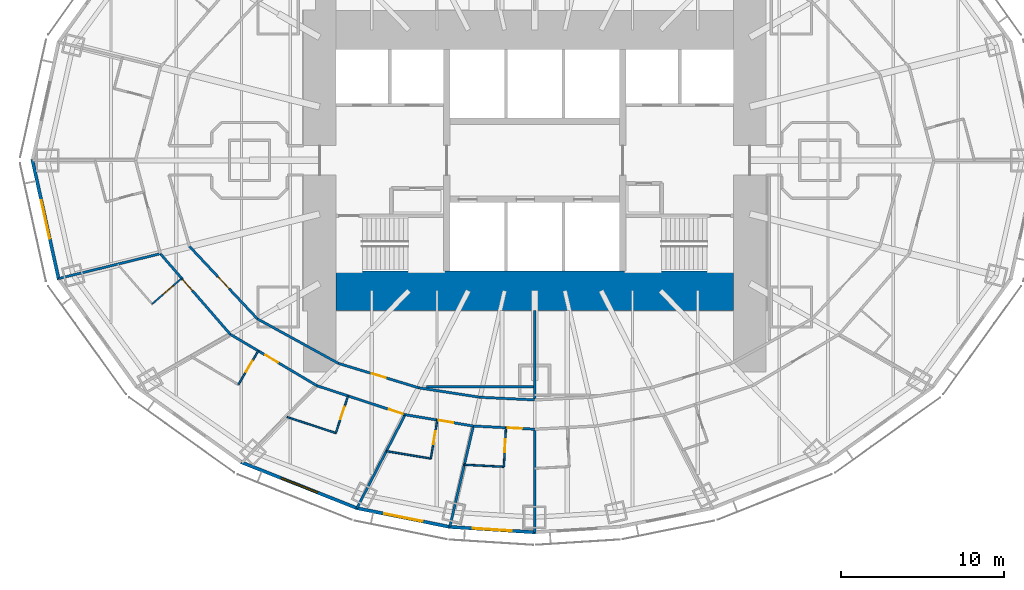
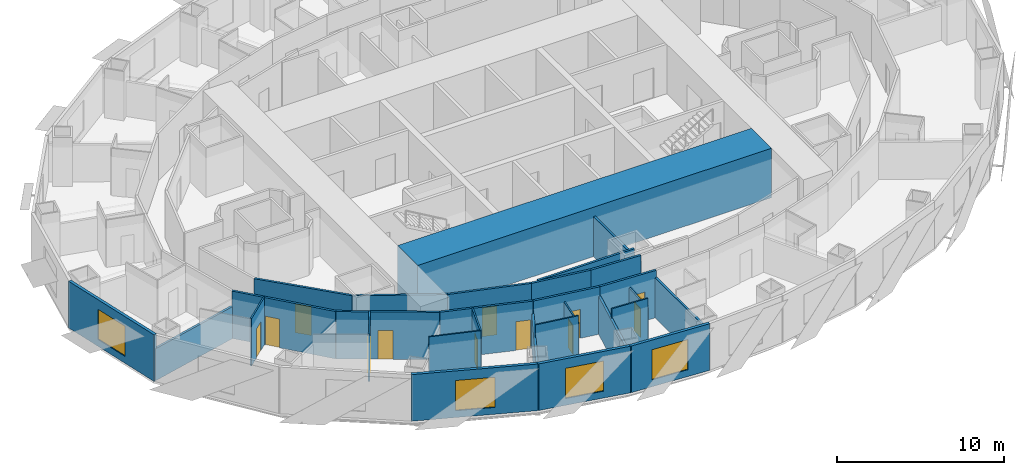
# One storey, part 5 of 15: 29 walls, 12 doors, 4 windows, 16 openings.
"""IFC4 building model written with IfcOpenShell, lengths in metres."""

from ifc_helpers import new_model, si_unit, direction, frame, frame_2d, origin, place, context, subcontext, project, spatial, rectangle, extrude, material, layer, layer_set, type_object, element, fill, save


model = new_model("IFC4")

# Units and contexts
model_context = context("Model", 3, precision=1e-05, world=origin(), true_north=direction((0.0, 1.0)))
body_context = subcontext(model_context, "Body", "Model", "MODEL_VIEW")
ifc_project = project(units=[si_unit("LENGTHUNIT", "METRE"), si_unit("AREAUNIT", "SQUARE_METRE"), si_unit("VOLUMEUNIT", "CUBIC_METRE"), si_unit("PLANEANGLEUNIT", "RADIAN"), si_unit("MASSUNIT", "GRAM", prefix="KILO")], contexts=[model_context])

# Site, building, storey
site_placement = place(None, origin())
site = spatial("IfcSite", under=ifc_project, at=site_placement, CompositionType="ELEMENT")
building_placement = place(site_placement, origin())
building = spatial("IfcBuilding", under=site, at=building_placement, Name="Lantaw Convention Tower", CompositionType="ELEMENT")
storey_placement = place(building_placement, frame((0.0, 0.0, 65.800048828125)))
storey = spatial("IfcBuildingStorey", under=building, at=storey_placement, Name="L14", CompositionType="ELEMENT", Elevation=65.800048828125)

# Walls
ifc_material_1 = material(Name="Gypsum board on steel studs", Category="steel")
ifc_layer_1 = layer(ifc_material_1, 0.14990234375)
ifc_layer_set_1 = layer_set([ifc_layer_1], Name="Back of house wall 150")
wall_type_1 = type_object("IfcWallType", Name="Back of house wall 150", PredefinedType="PARTITIONING", material=ifc_layer_set_1)
wall_1_placement = place(storey_placement, frame((0.0, -9.199951171875, 0.0), z_axis=(0.0, 0.0, 1.0), x_axis=(0.0, -1.0, 0.0)))
element("IfcWall", 1, at=wall_1_placement, inside=storey, type_object=wall_type_1, Name="Back of house wall 150", PredefinedType="PARTITIONING", context=body_context, shape_type="SweptSolid", body=[
    extrude(rectangle(XDim=5.5, YDim=0.14990234375, at=frame_2d((2.75, 0.0))), origin(), (0.0, 0.0, 1.0), 2.924072265625),
])
wall_2_placement = place(storey_placement, frame((-6.646728515625, -13.89990234375, 0.0), z_axis=(0.0, 0.0, 1.0), x_axis=(1.0, 0.0, 0.0)))
element("IfcWall", 2, at=wall_2_placement, inside=storey, type_object=wall_type_1, Name="Back of house wall 150", PredefinedType="PARTITIONING", context=body_context, shape_type="SweptSolid", body=[
    extrude(rectangle(XDim=6.646728515625, YDim=0.14990234375, at=frame_2d((3.3232421875, 0.0))), origin(), (0.0, 0.0, 1.0), 3.449951171875),
])

# Wall, opening, door
ifc_material_2 = material(Name="Moisture resistant gypsum board on steel studs", Category="steel")
ifc_layer_2 = layer(ifc_material_2, 0.10009765625)
ifc_layer_set_2 = layer_set([ifc_layer_2], Name="Bathroom wall 100")
wall_type_2 = type_object("IfcWallType", Name="Bathroom wall 100", PredefinedType="PARTITIONING", material=ifc_layer_set_2)
wall_3_placement = place(storey_placement, frame((-21.664794921875, -7.23876953125, 0.0), z_axis=(0.0, 0.0, 1.0), x_axis=(-0.755098052661, -0.655611875172, 0.0)))
wall_3 = element("IfcWall", 3, at=wall_3_placement, inside=storey, type_object=wall_type_2, Name="Bathroom wall 100", PredefinedType="PARTITIONING", context=body_context, shape_type="SweptSolid", body=[
    extrude(rectangle(XDim=2.400146484375, YDim=0.10009765625, at=frame_2d((1.2001953125, 0.0))), origin(), (0.0, 0.0, 1.0), 3.449951171875),
])
opening_1_placement = place(wall_3_placement, frame((0.699951171875, 0.0, 0.0)))
opening_1 = element("IfcOpeningElement", 4, at=opening_1_placement, cuts=wall_3, Name="Opening L14.46", PredefinedType="OPENING", context=body_context, shape_type="SweptSolid", body=[
    extrude(rectangle(XDim=0.800048828125, YDim=2.10009765625, at=frame_2d((0.39990234375, 1.050048828125))), frame((0.0, 0.06005859375, 0.0), z_axis=(0.0, -1.0, 0.0), x_axis=(1.0, 0.0, 0.0)), (0.0, 0.0, 1.0), 0.1201171875),
])
ifc_material_3 = material(Name="Timber", Category="wood")
door_type_1 = type_object("IfcDoorType", Name="Bathroom door 800", OperationType="SINGLE_SWING_LEFT", PredefinedType="DOOR", material=ifc_material_3)
door_1_placement = place(opening_1_placement, origin())
door_1 = element("IfcDoor", 5, at=door_1_placement, inside=storey, type_object=door_type_1, Name="Bathroom door", OperationType="SINGLE_SWING_LEFT", OverallHeight=2.10009765625, OverallWidth=0.800048828125, PredefinedType="DOOR", context=body_context, shape_type="SweptSolid", body=[
    extrude(rectangle(XDim=0.800048828125, YDim=2.10009765625, at=frame_2d((0.39990234375, 1.050048828125))), frame((0.0, 0.02490234375, 0.0), z_axis=(0.0, -1.0, 0.0), x_axis=(1.0, 0.0, 0.0)), (0.0, 0.0, 1.0), 0.050048828125),
])
fill(opening_1, door_1)

wall_4_placement = place(storey_placement, frame((-16.961181640625, -11.6953125, 0.0), z_axis=(0.0, 0.0, 1.0), x_axis=(-0.510075642074, -0.860129548012, 0.0)))
wall_4 = element("IfcWall", 6, at=wall_4_placement, inside=storey, type_object=wall_type_2, Name="Bathroom wall 100", PredefinedType="PARTITIONING", context=body_context, shape_type="SweptSolid", body=[
    extrude(rectangle(XDim=2.39990234375, YDim=0.10009765625, at=frame_2d((1.199951171875, 0.0))), origin(), (0.0, 0.0, 1.0), 3.449951171875),
])
opening_2_placement = place(wall_4_placement, frame((0.699951171875, 0.0, 0.0)))
opening_2 = element("IfcOpeningElement", 7, at=opening_2_placement, cuts=wall_4, Name="Opening L14.48", PredefinedType="OPENING", context=body_context, shape_type="SweptSolid", body=[
    extrude(rectangle(XDim=0.800048828125, YDim=2.10009765625, at=frame_2d((0.39990234375, 1.050048828125))), frame((0.0, 0.06005859375, 0.0), z_axis=(0.0, -1.0, 0.0), x_axis=(1.0, 0.0, 0.0)), (0.0, 0.0, 1.0), 0.1201171875),
])
door_2_placement = place(opening_2_placement, origin())
door_2 = element("IfcDoor", 8, at=door_2_placement, inside=storey, type_object=door_type_1, Name="Bathroom door", OperationType="SINGLE_SWING_LEFT", OverallHeight=2.10009765625, OverallWidth=0.800048828125, PredefinedType="DOOR", context=body_context, shape_type="SweptSolid", body=[
    extrude(rectangle(XDim=0.800048828125, YDim=2.10009765625, at=frame_2d((0.39990234375, 1.050048828125))), frame((0.0, 0.02490234375, 0.0), z_axis=(0.0, -1.0, 0.0), x_axis=(1.0, 0.0, 0.0)), (0.0, 0.0, 1.0), 0.050048828125),
])
fill(opening_2, door_2)

wall_5_placement = place(storey_placement, frame((-11.457275390625, -14.455810546875, 0.0), z_axis=(0.0, 0.0, 1.0), x_axis=(-0.311890952591, -0.950117905153, 0.0)))
wall_5 = element("IfcWall", 9, at=wall_5_placement, inside=storey, type_object=wall_type_2, Name="Bathroom wall 100", PredefinedType="PARTITIONING", context=body_context, shape_type="SweptSolid", body=[
    extrude(rectangle(XDim=2.39990234375, YDim=0.10009765625, at=frame_2d((1.199951171875, 0.0))), origin(), (0.0, 0.0, 1.0), 3.449951171875),
])
opening_3_placement = place(wall_5_placement, frame((0.699951171875, 0.0, 0.0)))
opening_3 = element("IfcOpeningElement", 10, at=opening_3_placement, cuts=wall_5, Name="Opening L14.50", PredefinedType="OPENING", context=body_context, shape_type="SweptSolid", body=[
    extrude(rectangle(XDim=0.800048828125, YDim=2.10009765625, at=frame_2d((0.39990234375, 1.050048828125))), frame((0.0, 0.06005859375, 0.0), z_axis=(0.0, -1.0, 0.0), x_axis=(1.0, 0.0, 0.0)), (0.0, 0.0, 1.0), 0.1201171875),
])
door_3_placement = place(opening_3_placement, origin())
door_3 = element("IfcDoor", 11, at=door_3_placement, inside=storey, type_object=door_type_1, Name="Bathroom door", OperationType="SINGLE_SWING_LEFT", OverallHeight=2.10009765625, OverallWidth=0.800048828125, PredefinedType="DOOR", context=body_context, shape_type="SweptSolid", body=[
    extrude(rectangle(XDim=0.800048828125, YDim=2.10009765625, at=frame_2d((0.39990234375, 1.050048828125))), frame((0.0, 0.02490234375, 0.0), z_axis=(0.0, -1.0, 0.0), x_axis=(1.0, 0.0, 0.0)), (0.0, 0.0, 1.0), 0.050048828125),
])
fill(opening_3, door_3)

# Wall
wall_6_placement = place(storey_placement, frame((-12.205810546875, -16.736083984375, 0.0), z_axis=(0.0, 0.0, 1.0), x_axis=(-0.950109912386, 0.311915300018, 0.0)))
element("IfcWall", 12, at=wall_6_placement, inside=storey, type_object=wall_type_2, Name="Bathroom wall 100", PredefinedType="PARTITIONING", context=body_context, shape_type="SweptSolid", body=[
    extrude(rectangle(XDim=3.161376953125, YDim=0.10009765625, at=frame_2d((1.58056640625, 0.0))), origin(), (0.0, 0.0, 1.0), 3.449951171875),
])

# Wall, opening, door
wall_7_placement = place(storey_placement, frame((-5.979248046875, -15.935302734375, 0.0), z_axis=(0.0, 0.0, 1.0), x_axis=(-0.164283516215, -0.986413162067, 0.0)))
wall_7 = element("IfcWall", 13, at=wall_7_placement, inside=storey, type_object=wall_type_2, Name="Bathroom wall 100", PredefinedType="PARTITIONING", context=body_context, shape_type="SweptSolid", body=[
    extrude(rectangle(XDim=2.400146484375, YDim=0.10009765625, at=frame_2d((1.2001953125, 0.0))), origin(), (0.0, 0.0, 1.0), 2.9140625),
])
opening_4_placement = place(wall_7_placement, frame((0.699951171875, 0.0, 0.0)))
opening_4 = element("IfcOpeningElement", 14, at=opening_4_placement, cuts=wall_7, Name="Opening L14.52", PredefinedType="OPENING", context=body_context, shape_type="SweptSolid", body=[
    extrude(rectangle(XDim=0.800048828125, YDim=2.10009765625, at=frame_2d((0.39990234375, 1.050048828125))), frame((0.0, 0.06005859375, 0.0), z_axis=(0.0, -1.0, 0.0), x_axis=(1.0, 0.0, 0.0)), (0.0, 0.0, 1.0), 0.1201171875),
])
door_4_placement = place(opening_4_placement, origin())
door_4 = element("IfcDoor", 15, at=door_4_placement, inside=storey, type_object=door_type_1, Name="Bathroom door", OperationType="SINGLE_SWING_LEFT", OverallHeight=2.10009765625, OverallWidth=0.800048828125, PredefinedType="DOOR", context=body_context, shape_type="SweptSolid", body=[
    extrude(rectangle(XDim=0.800048828125, YDim=2.10009765625, at=frame_2d((0.39990234375, 1.050048828125))), frame((0.0, 0.02490234375, 0.0), z_axis=(0.0, -1.0, 0.0), x_axis=(1.0, 0.0, 0.0)), (0.0, 0.0, 1.0), 0.050048828125),
])
fill(opening_4, door_4)

# Wall
wall_8_placement = place(storey_placement, frame((-6.37353515625, -18.302734375, 0.0), z_axis=(0.0, 0.0, 1.0), x_axis=(-0.98640348956, 0.164341582641, 0.0)))
element("IfcWall", 16, at=wall_8_placement, inside=storey, type_object=wall_type_2, Name="Bathroom wall 100", PredefinedType="PARTITIONING", context=body_context, shape_type="SweptSolid", body=[
    extrude(rectangle(XDim=2.7587890625, YDim=0.10009765625, at=frame_2d((1.37939453125, 0.0))), origin(), (0.0, 0.0, 1.0), 3.449951171875),
])

# Wall, opening, door
wall_9_placement = place(storey_placement, frame((-1.766845703125, -16.407958984375, 0.0), z_axis=(0.0, 0.0, 1.0), x_axis=(-0.051982187452, -0.998648012158, 0.0)))
wall_9 = element("IfcWall", 17, at=wall_9_placement, inside=storey, type_object=wall_type_2, Name="Bathroom wall 100", PredefinedType="PARTITIONING", context=body_context, shape_type="SweptSolid", body=[
    extrude(rectangle(XDim=2.39990234375, YDim=0.10009765625, at=frame_2d((1.199951171875, 0.0))), origin(), (0.0, 0.0, 1.0), 2.7490234375),
])
opening_5_placement = place(wall_9_placement, frame((0.699951171875, 0.0, 0.0)))
opening_5 = element("IfcOpeningElement", 18, at=opening_5_placement, cuts=wall_9, Name="Opening L14.54", PredefinedType="OPENING", context=body_context, shape_type="SweptSolid", body=[
    extrude(rectangle(XDim=0.800048828125, YDim=2.10009765625, at=frame_2d((0.39990234375, 1.050048828125))), frame((0.0, 0.06005859375, 0.0), z_axis=(0.0, -1.0, 0.0), x_axis=(1.0, 0.0, 0.0)), (0.0, 0.0, 1.0), 0.1201171875),
])
door_5_placement = place(opening_5_placement, origin())
door_5 = element("IfcDoor", 19, at=door_5_placement, inside=storey, type_object=door_type_1, Name="Bathroom door", OperationType="SINGLE_SWING_LEFT", OverallHeight=2.10009765625, OverallWidth=0.800048828125, PredefinedType="DOOR", context=body_context, shape_type="SweptSolid", body=[
    extrude(rectangle(XDim=0.800048828125, YDim=2.10009765625, at=frame_2d((0.39990234375, 1.050048828125))), frame((0.0, 0.02490234375, 0.0), z_axis=(0.0, -1.0, 0.0), x_axis=(1.0, 0.0, 0.0)), (0.0, 0.0, 1.0), 0.050048828125),
])
fill(opening_5, door_5)

# Walls
wall_10_placement = place(storey_placement, frame((-1.8916015625, -18.8046875, 0.0), z_axis=(0.0, 0.0, 1.0), x_axis=(-0.998648540987, 0.051972026944, 0.0)))
element("IfcWall", 20, at=wall_10_placement, inside=storey, type_object=wall_type_2, Name="Bathroom wall 100", PredefinedType="PARTITIONING", context=body_context, shape_type="SweptSolid", body=[
    extrude(rectangle(XDim=2.423828125, YDim=0.10009765625, at=frame_2d((1.2119140625, 0.0))), origin(), (0.0, 0.0, 1.0), 3.449951171875),
])
ifc_material_4 = material(Name="Concrete C60/75", Category="concrete")
ifc_layer_3 = layer(ifc_material_4, 2.39990234375)
ifc_layer_set_3 = layer_set([ifc_layer_3], Name="Core wall 2400")
wall_type_3 = type_object("IfcWallType", Name="Core wall 2400", PredefinedType="SHEAR", material=ifc_layer_set_3)
wall_11_placement = place(storey_placement, frame((-12.199951171875, -8.0, 0.0), z_axis=(0.0, 0.0, 1.0), x_axis=(1.0, 0.0, 0.0)))
element("IfcWall", 21, at=wall_11_placement, inside=storey, type_object=wall_type_3, Name="Core wall S", PredefinedType="SHEAR", context=body_context, shape_type="SweptSolid", body=[
    extrude(rectangle(XDim=24.39990234375, YDim=2.39990234375, at=frame_2d((12.199951171875, 0.0))), origin(), (0.0, 0.0, 1.0), 3.599853515625),
])

# Wall, opening, door
ifc_material_5 = material(Name="Gypsum board on steel studs, fire rated", Category="steel")
ifc_layer_4 = layer(ifc_material_5, 0.14990234375)
ifc_layer_set_4 = layer_set([ifc_layer_4], Name="Corridor wall 150 EI 60")
wall_type_4 = type_object("IfcWallType", Name="Corridor wall 150 EI 60", PredefinedType="PARTITIONING", material=ifc_layer_set_4)
wall_12_placement = place(storey_placement, frame((-22.97607421875, -5.728515625, 0.0), z_axis=(0.0, 0.0, 1.0), x_axis=(0.655599989166, -0.755108372491, 0.0)))
wall_12 = element("IfcWall", 22, at=wall_12_placement, inside=storey, type_object=wall_type_4, Name="Corridor wall 150", PredefinedType="PARTITIONING", context=body_context, shape_type="SweptSolid", body=[
    extrude(rectangle(XDim=6.55078125, YDim=0.14990234375, at=frame_2d((3.275390625, 0.0))), origin(), (0.0, 0.0, 1.0), 3.449951171875),
])
opening_6_placement = place(wall_12_placement, frame((2.10009765625, 0.0, 0.0)))
opening_6 = element("IfcOpeningElement", 23, at=opening_6_placement, cuts=wall_12, Name="Opening L14.47", PredefinedType="OPENING", context=body_context, shape_type="SweptSolid", body=[
    extrude(rectangle(XDim=0.89990234375, YDim=2.10009765625, at=frame_2d((0.449951171875, 1.050048828125))), frame((0.0, 0.0849609375, 0.0), z_axis=(0.0, -1.0, 0.0), x_axis=(1.0, 0.0, 0.0)), (0.0, 0.0, 1.0), 0.169921875),
])
ifc_material_6 = material(Name="Steel, fire rated", Category="steel")
door_type_2 = type_object("IfcDoorType", Name="Guest room entrance door FD30S", OperationType="SINGLE_SWING_LEFT", PredefinedType="DOOR", material=ifc_material_6)
door_6_placement = place(opening_6_placement, origin())
door_6 = element("IfcDoor", 24, at=door_6_placement, inside=storey, type_object=door_type_2, Name="Guest room entrance door", OperationType="SINGLE_SWING_LEFT", OverallHeight=2.10009765625, OverallWidth=0.89990234375, PredefinedType="DOOR", context=body_context, shape_type="SweptSolid", body=[
    extrude(rectangle(XDim=0.89990234375, YDim=2.10009765625, at=frame_2d((0.449951171875, 1.050048828125))), frame((0.0, 0.02490234375, 0.0), z_axis=(0.0, -1.0, 0.0), x_axis=(1.0, 0.0, 0.0)), (0.0, 0.0, 1.0), 0.050048828125),
])
fill(opening_6, door_6)

wall_13_placement = place(storey_placement, frame((-18.681396484375, -10.675048828125, 0.0), z_axis=(0.0, 0.0, 1.0), x_axis=(0.860147339762, -0.510045639036, 0.0)))
wall_13 = element("IfcWall", 25, at=wall_13_placement, inside=storey, type_object=wall_type_4, Name="Corridor wall 150", PredefinedType="PARTITIONING", context=body_context, shape_type="SweptSolid", body=[
    extrude(rectangle(XDim=6.189697265625, YDim=0.14990234375, at=frame_2d((3.0947265625, 0.0))), origin(), (0.0, 0.0, 1.0), 3.449951171875),
])
opening_7_placement = place(wall_13_placement, frame((2.50537109375, 0.0, 0.0)))
opening_7 = element("IfcOpeningElement", 26, at=opening_7_placement, cuts=wall_13, Name="Opening L14.49", PredefinedType="OPENING", context=body_context, shape_type="SweptSolid", body=[
    extrude(rectangle(XDim=0.89990234375, YDim=2.10009765625, at=frame_2d((0.449951171875, 1.050048828125))), frame((0.0, 0.0849609375, 0.0), z_axis=(0.0, -1.0, 0.0), x_axis=(1.0, 0.0, 0.0)), (0.0, 0.0, 1.0), 0.169921875),
])
door_7_placement = place(opening_7_placement, origin())
door_7 = element("IfcDoor", 27, at=door_7_placement, inside=storey, type_object=door_type_2, Name="Guest room entrance door", OperationType="SINGLE_SWING_LEFT", OverallHeight=2.10009765625, OverallWidth=0.89990234375, PredefinedType="DOOR", context=body_context, shape_type="SweptSolid", body=[
    extrude(rectangle(XDim=0.89990234375, YDim=2.10009765625, at=frame_2d((0.449951171875, 1.050048828125))), frame((0.0, 0.02490234375, 0.0), z_axis=(0.0, -1.0, 0.0), x_axis=(1.0, 0.0, 0.0)), (0.0, 0.0, 1.0), 0.050048828125),
])
fill(opening_7, door_7)

wall_14_placement = place(storey_placement, frame((-13.357421875, -13.83203125, 0.0), z_axis=(0.0, 0.0, 1.0), x_axis=(0.950106803111, -0.311924770869, 0.0)))
wall_14 = element("IfcWall", 28, at=wall_14_placement, inside=storey, type_object=wall_type_4, Name="Corridor wall 150", PredefinedType="PARTITIONING", context=body_context, shape_type="SweptSolid", body=[
    extrude(rectangle(XDim=5.689453125, YDim=0.14990234375, at=frame_2d((2.8447265625, 0.0))), origin(), (0.0, 0.0, 1.0), 3.449951171875),
])
opening_8_placement = place(wall_14_placement, frame((4.639404296875, 0.0, 0.0)))
opening_8 = element("IfcOpeningElement", 29, at=opening_8_placement, cuts=wall_14, Name="Opening L14.51", PredefinedType="OPENING", context=body_context, shape_type="SweptSolid", body=[
    extrude(rectangle(XDim=0.89990234375, YDim=2.10009765625, at=frame_2d((0.449951171875, 1.050048828125))), frame((0.0, 0.0849609375, 0.0), z_axis=(0.0, -1.0, 0.0), x_axis=(1.0, 0.0, 0.0)), (0.0, 0.0, 1.0), 0.169921875),
])
door_8_placement = place(opening_8_placement, origin())
door_8 = element("IfcDoor", 30, at=door_8_placement, inside=storey, type_object=door_type_2, Name="Guest room entrance door", OperationType="SINGLE_SWING_LEFT", OverallHeight=2.10009765625, OverallWidth=0.89990234375, PredefinedType="DOOR", context=body_context, shape_type="SweptSolid", body=[
    extrude(rectangle(XDim=0.89990234375, YDim=2.10009765625, at=frame_2d((0.449951171875, 1.050048828125))), frame((0.0, 0.02490234375, 0.0), z_axis=(0.0, -1.0, 0.0), x_axis=(1.0, 0.0, 0.0)), (0.0, 0.0, 1.0), 0.050048828125),
])
fill(opening_8, door_8)

wall_15_placement = place(storey_placement, frame((-7.951904296875, -15.606689453125, 0.0), z_axis=(0.0, 0.0, 1.0), x_axis=(0.98641101506, -0.164296407044, 0.0)))
wall_15 = element("IfcWall", 31, at=wall_15_placement, inside=storey, type_object=wall_type_4, Name="Corridor wall 150", PredefinedType="PARTITIONING", context=body_context, shape_type="SweptSolid", body=[
    extrude(rectangle(XDim=4.245361328125, YDim=0.14990234375, at=frame_2d((2.12255859375, 0.0))), origin(), (0.0, 0.0, 1.0), 3.449951171875),
])
opening_9_placement = place(wall_15_placement, frame((2.10009765625, 0.0, 0.0)))
opening_9 = element("IfcOpeningElement", 32, at=opening_9_placement, cuts=wall_15, Name="Opening L14.53", PredefinedType="OPENING", context=body_context, shape_type="SweptSolid", body=[
    extrude(rectangle(XDim=0.89990234375, YDim=2.10009765625, at=frame_2d((0.449951171875, 1.050048828125))), frame((0.0, 0.0849609375, 0.0), z_axis=(0.0, -1.0, 0.0), x_axis=(1.0, 0.0, 0.0)), (0.0, 0.0, 1.0), 0.169921875),
])
door_9_placement = place(opening_9_placement, origin())
door_9 = element("IfcDoor", 33, at=door_9_placement, inside=storey, type_object=door_type_2, Name="Guest room entrance door", OperationType="SINGLE_SWING_LEFT", OverallHeight=2.10009765625, OverallWidth=0.89990234375, PredefinedType="DOOR", context=body_context, shape_type="SweptSolid", body=[
    extrude(rectangle(XDim=0.89990234375, YDim=2.10009765625, at=frame_2d((0.449951171875, 1.050048828125))), frame((0.0, 0.02490234375, 0.0), z_axis=(0.0, -1.0, 0.0), x_axis=(1.0, 0.0, 0.0)), (0.0, 0.0, 1.0), 0.050048828125),
])
fill(opening_9, door_9)

wall_16_placement = place(storey_placement, frame((-3.76416015625, -16.30419921875, 0.0), z_axis=(0.0, 0.0, 1.0), x_axis=(0.998649848759, -0.05194689186, 0.0)))
wall_16 = element("IfcWall", 34, at=wall_16_placement, inside=storey, type_object=wall_type_4, Name="Corridor wall 150", PredefinedType="PARTITIONING", context=body_context, shape_type="SweptSolid", body=[
    extrude(rectangle(XDim=3.769287109375, YDim=0.14990234375, at=frame_2d((1.884765625, 0.0))), origin(), (0.0, 0.0, 1.0), 3.449951171875),
])
opening_10_placement = place(wall_16_placement, frame((2.10009765625, 0.0, 0.0)))
opening_10 = element("IfcOpeningElement", 35, at=opening_10_placement, cuts=wall_16, Name="Opening L14.55", PredefinedType="OPENING", context=body_context, shape_type="SweptSolid", body=[
    extrude(rectangle(XDim=0.89990234375, YDim=2.10009765625, at=frame_2d((0.449951171875, 1.050048828125))), frame((0.0, 0.0849609375, 0.0), z_axis=(0.0, -1.0, 0.0), x_axis=(1.0, 0.0, 0.0)), (0.0, 0.0, 1.0), 0.169921875),
])
door_10_placement = place(opening_10_placement, origin())
door_10 = element("IfcDoor", 36, at=door_10_placement, inside=storey, type_object=door_type_2, Name="Guest room entrance door", OperationType="SINGLE_SWING_LEFT", OverallHeight=2.10009765625, OverallWidth=0.89990234375, PredefinedType="DOOR", context=body_context, shape_type="SweptSolid", body=[
    extrude(rectangle(XDim=0.89990234375, YDim=2.10009765625, at=frame_2d((0.449951171875, 1.050048828125))), frame((0.0, 0.02490234375, 0.0), z_axis=(0.0, -1.0, 0.0), x_axis=(1.0, 0.0, 0.0)), (0.0, 0.0, 1.0), 0.050048828125),
])
fill(opening_10, door_10)

wall_17_placement = place(storey_placement, frame((-21.18408203125, -5.28173828125, 0.0), z_axis=(0.0, 0.0, 1.0), x_axis=(0.68365836236, -0.729802194828, 0.0)))
wall_17 = element("IfcWall", 37, at=wall_17_placement, inside=storey, type_object=wall_type_4, Name="Corridor wall 150", PredefinedType="PARTITIONING", context=body_context, shape_type="SweptSolid", body=[
    extrude(rectangle(XDim=6.08984375, YDim=0.14990234375, at=frame_2d((3.044921875, 0.0))), origin(), (0.0, 0.0, 1.0), 3.449951171875),
])
opening_11_placement = place(wall_17_placement, frame((2.544921875, 0.0, 0.0)))
opening_11 = element("IfcOpeningElement", 38, at=opening_11_placement, cuts=wall_17, Name="Opening L14.23", PredefinedType="OPENING", context=body_context, shape_type="SweptSolid", body=[
    extrude(rectangle(XDim=1.0, YDim=2.10009765625, at=frame_2d((0.5, 1.050048828125))), frame((0.0, 0.0849609375, 0.0), z_axis=(0.0, -1.0, 0.0), x_axis=(1.0, 0.0, 0.0)), (0.0, 0.0, 1.0), 0.169921875),
])
door_type_3 = type_object("IfcDoorType", Name="Service door 1000 FD30", OperationType="SINGLE_SWING_LEFT", PredefinedType="DOOR", material=ifc_material_6)
door_11_placement = place(opening_11_placement, origin())
door_11 = element("IfcDoor", 39, at=door_11_placement, inside=storey, type_object=door_type_3, Name="Staff room door", OperationType="SINGLE_SWING_LEFT", OverallHeight=2.10009765625, OverallWidth=1.0, PredefinedType="DOOR", context=body_context, shape_type="SweptSolid", body=[
    extrude(rectangle(XDim=1.0, YDim=2.10009765625, at=frame_2d((0.5, 1.050048828125))), frame((0.0, 0.02490234375, 0.0), z_axis=(0.0, -1.0, 0.0), x_axis=(1.0, 0.0, 0.0)), (0.0, 0.0, 1.0), 0.050048828125),
])
fill(opening_11, door_11)

# Wall
wall_18_placement = place(storey_placement, frame((-17.020751953125, -9.72607421875, 0.0), z_axis=(0.0, 0.0, 1.0), x_axis=(0.876522084062, -0.481361647986, 0.0)))
element("IfcWall", 40, at=wall_18_placement, inside=storey, type_object=wall_type_4, Name="Corridor wall 150", PredefinedType="PARTITIONING", context=body_context, shape_type="SweptSolid", body=[
    extrude(rectangle(XDim=5.68701171875, YDim=0.14990234375, at=frame_2d((2.843505859375, 0.0))), origin(), (0.0, 0.0, 1.0), 3.449951171875),
])

# Wall, opening, door
wall_19_placement = place(storey_placement, frame((-12.035888671875, -12.463623046875, 0.0), z_axis=(0.0, 0.0, 1.0), x_axis=(0.956795045135, -0.290763205385, 0.0)))
wall_19 = element("IfcWall", 41, at=wall_19_placement, inside=storey, type_object=wall_type_4, Name="Corridor wall 150", PredefinedType="PARTITIONING", context=body_context, shape_type="SweptSolid", body=[
    extrude(rectangle(XDim=5.1455078125, YDim=0.14990234375, at=frame_2d((2.57275390625, 0.0))), origin(), (0.0, 0.0, 1.0), 3.449951171875),
])
opening_12_placement = place(wall_19_placement, frame((2.122802734375, 0.0, 0.0)))
opening_12 = element("IfcOpeningElement", 42, at=opening_12_placement, cuts=wall_19, Name="Opening L14.22", PredefinedType="OPENING", context=body_context, shape_type="SweptSolid", body=[
    extrude(rectangle(XDim=0.89990234375, YDim=2.10009765625, at=frame_2d((0.449951171875, 1.050048828125))), frame((0.0, 0.0849609375, 0.0), z_axis=(0.0, -1.0, 0.0), x_axis=(1.0, 0.0, 0.0)), (0.0, 0.0, 1.0), 0.169921875),
])
door_type_4 = type_object("IfcDoorType", Name="Service door 900 FD30", OperationType="SINGLE_SWING_LEFT", PredefinedType="DOOR", material=ifc_material_6)
door_12_placement = place(opening_12_placement, origin())
door_12 = element("IfcDoor", 43, at=door_12_placement, inside=storey, type_object=door_type_4, Name="Staff locker room door", OperationType="SINGLE_SWING_LEFT", OverallHeight=2.10009765625, OverallWidth=0.89990234375, PredefinedType="DOOR", context=body_context, shape_type="SweptSolid", body=[
    extrude(rectangle(XDim=0.89990234375, YDim=2.10009765625, at=frame_2d((0.449951171875, 1.050048828125))), frame((0.0, 0.02490234375, 0.0), z_axis=(0.0, -1.0, 0.0), x_axis=(1.0, 0.0, 0.0)), (0.0, 0.0, 1.0), 0.050048828125),
])
fill(opening_12, door_12)

# Walls
wall_20_placement = place(storey_placement, frame((-7.11279296875, -13.959716796875, 0.0), z_axis=(0.0, 0.0, 1.0), x_axis=(0.988343461108, -0.152240608529, 0.0)))
element("IfcWall", 44, at=wall_20_placement, inside=storey, type_object=wall_type_4, Name="Corridor wall 150", PredefinedType="PARTITIONING", context=body_context, shape_type="SweptSolid", body=[
    extrude(rectangle(XDim=3.800537109375, YDim=0.14990234375, at=frame_2d((1.900390625, 0.0))), origin(), (0.0, 0.0, 1.0), 3.449951171875),
])
wall_21_placement = place(storey_placement, frame((-3.3564453125, -14.538330078125, 0.0), z_axis=(0.0, 0.0, 1.0), x_axis=(0.998842682549, -0.048096730859, 0.0)))
element("IfcWall", 45, at=wall_21_placement, inside=storey, type_object=wall_type_4, Name="Corridor wall 150", PredefinedType="PARTITIONING", context=body_context, shape_type="SweptSolid", body=[
    extrude(rectangle(XDim=3.3603515625, YDim=0.14990234375, at=frame_2d((1.68017578125, 0.0))), origin(), (0.0, 0.0, 1.0), 3.449951171875),
])

# Wall, opening, window
ifc_material_7 = material(Name="Insulated aluminium panel on steel frame", Category="steel")
ifc_layer_5 = layer(ifc_material_7, 0.199951171875)
ifc_layer_set_5 = layer_set([ifc_layer_5], Name="External wall 200")
wall_type_5 = type_object("IfcWallType", Name="External wall 200", PredefinedType="SOLIDWALL", material=ifc_layer_set_5)
wall_22_placement = place(storey_placement, frame((-30.83544921875, 0.06689453125, 0.0), z_axis=(0.0, 0.0, 1.0), x_axis=(0.215238065514, -0.976561608478, 0.0)))
wall_22 = element("IfcWall", 46, at=wall_22_placement, inside=storey, type_object=wall_type_5, Name="Facade panel wall", PredefinedType="SOLIDWALL", context=body_context, shape_type="SweptSolid", body=[
    extrude(rectangle(XDim=7.562255859375, YDim=0.199951171875, at=frame_2d((3.78125, 0.0))), origin(), (0.0, 0.0, 1.0), 3.39990234375),
])
opening_13_placement = place(wall_22_placement, frame((2.581298828125, 0.0, 0.5)))
opening_13 = element("IfcOpeningElement", 47, at=opening_13_placement, cuts=wall_22, Name="Opening W1", PredefinedType="OPENING", context=body_context, shape_type="SweptSolid", body=[
    extrude(rectangle(XDim=2.39990234375, YDim=2.199951171875, at=frame_2d((1.199951171875, 1.10009765625))), frame((0.0, 0.10986328125, 0.0), z_axis=(0.0, -1.0, 0.0), x_axis=(1.0, 0.0, 0.0)), (0.0, 0.0, 1.0), 0.219970703125),
])
ifc_material_8 = material(Name="Aluminium frame, clear insulating glass", Category="aluminium")
window_type = type_object("IfcWindowType", Name="Guest room window 2400x2200", PartitioningType="SINGLE_PANEL", PredefinedType="WINDOW", material=ifc_material_8)
window_1_placement = place(opening_13_placement, origin())
window_1 = element("IfcWindow", 48, at=window_1_placement, inside=storey, type_object=window_type, Name="Guest room window", OverallHeight=2.199951171875, OverallWidth=2.39990234375, PartitioningType="SINGLE_PANEL", PredefinedType="WINDOW", context=body_context, shape_type="SweptSolid", body=[
    extrude(rectangle(XDim=2.39990234375, YDim=2.199951171875, at=frame_2d((1.199951171875, 1.10009765625))), frame((0.0, 0.030029296875, 0.0), z_axis=(0.0, -1.0, 0.0), x_axis=(1.0, 0.0, 0.0)), (0.0, 0.0, 1.0), 0.06005859375),
])
fill(opening_13, window_1)

wall_23_placement = place(storey_placement, frame((-18.018310546875, -18.522705078125, 0.0), z_axis=(0.0, 0.0, 1.0), x_axis=(0.929358351251, -0.369178892895, 0.0)))
wall_23 = element("IfcWall", 49, at=wall_23_placement, inside=storey, type_object=wall_type_5, Name="Facade panel wall", PredefinedType="SOLIDWALL", context=body_context, shape_type="SweptSolid", body=[
    extrude(rectangle(XDim=7.6923828125, YDim=0.199951171875, at=frame_2d((3.84619140625, 0.0))), origin(), (0.0, 0.0, 1.0), 3.39990234375),
])
opening_14_placement = place(wall_23_placement, frame((2.64599609375, 0.0, 0.5)))
opening_14 = element("IfcOpeningElement", 50, at=opening_14_placement, cuts=wall_23, Name="Opening W1", PredefinedType="OPENING", context=body_context, shape_type="SweptSolid", body=[
    extrude(rectangle(XDim=2.39990234375, YDim=2.199951171875, at=frame_2d((1.199951171875, 1.10009765625))), frame((0.0, 0.10986328125, 0.0), z_axis=(0.0, -1.0, 0.0), x_axis=(1.0, 0.0, 0.0)), (0.0, 0.0, 1.0), 0.219970703125),
])
window_2_placement = place(opening_14_placement, origin())
window_2 = element("IfcWindow", 51, at=window_2_placement, inside=storey, type_object=window_type, Name="Guest room window", OverallHeight=2.199951171875, OverallWidth=2.39990234375, PartitioningType="SINGLE_PANEL", PredefinedType="WINDOW", context=body_context, shape_type="SweptSolid", body=[
    extrude(rectangle(XDim=2.39990234375, YDim=2.199951171875, at=frame_2d((1.199951171875, 1.10009765625))), frame((0.0, 0.030029296875, 0.0), z_axis=(0.0, -1.0, 0.0), x_axis=(1.0, 0.0, 0.0)), (0.0, 0.0, 1.0), 0.06005859375),
])
fill(opening_14, window_2)

wall_24_placement = place(storey_placement, frame((-10.956787109375, -21.336669921875, 0.0), z_axis=(0.0, 0.0, 1.0), x_axis=(0.980251657452, -0.197754110105, 0.0)))
wall_24 = element("IfcWall", 52, at=wall_24_placement, inside=storey, type_object=wall_type_5, Name="Facade panel wall", PredefinedType="SOLIDWALL", context=body_context, shape_type="SweptSolid", body=[
    extrude(rectangle(XDim=5.90380859375, YDim=0.199951171875, at=frame_2d((2.951904296875, 0.0))), origin(), (0.0, 0.0, 1.0), 3.39990234375),
])
opening_15_placement = place(wall_24_placement, frame((1.751708984375, 0.0, 0.5)))
opening_15 = element("IfcOpeningElement", 53, at=opening_15_placement, cuts=wall_24, Name="Opening W1", PredefinedType="OPENING", context=body_context, shape_type="SweptSolid", body=[
    extrude(rectangle(XDim=2.39990234375, YDim=2.199951171875, at=frame_2d((1.199951171875, 1.10009765625))), frame((0.0, 0.10986328125, 0.0), z_axis=(0.0, -1.0, 0.0), x_axis=(1.0, 0.0, 0.0)), (0.0, 0.0, 1.0), 0.219970703125),
])
window_3_placement = place(opening_15_placement, origin())
window_3 = element("IfcWindow", 54, at=window_3_placement, inside=storey, type_object=window_type, Name="Guest room window", OverallHeight=2.199951171875, OverallWidth=2.39990234375, PartitioningType="SINGLE_PANEL", PredefinedType="WINDOW", context=body_context, shape_type="SweptSolid", body=[
    extrude(rectangle(XDim=2.39990234375, YDim=2.199951171875, at=frame_2d((1.199951171875, 1.10009765625))), frame((0.0, 0.030029296875, 0.0), z_axis=(0.0, -1.0, 0.0), x_axis=(1.0, 0.0, 0.0)), (0.0, 0.0, 1.0), 0.06005859375),
])
fill(opening_15, window_3)

wall_25_placement = place(storey_placement, frame((-5.252685546875, -22.493408203125, 0.0), z_axis=(0.0, 0.0, 1.0), x_axis=(0.998018582375, -0.062919863585, 0.0)))
wall_25 = element("IfcWall", 55, at=wall_25_placement, inside=storey, type_object=wall_type_5, Name="Facade panel wall", PredefinedType="SOLIDWALL", context=body_context, shape_type="SweptSolid", body=[
    extrude(rectangle(XDim=5.30419921875, YDim=0.199951171875, at=frame_2d((2.652099609375, 0.0))), origin(), (0.0, 0.0, 1.0), 3.39990234375),
])
opening_16_placement = place(wall_25_placement, frame((1.4521484375, 0.0, 0.5)))
opening_16 = element("IfcOpeningElement", 56, at=opening_16_placement, cuts=wall_25, Name="Opening W1", PredefinedType="OPENING", context=body_context, shape_type="SweptSolid", body=[
    extrude(rectangle(XDim=2.39990234375, YDim=2.199951171875, at=frame_2d((1.199951171875, 1.10009765625))), frame((0.0, 0.10986328125, 0.0), z_axis=(0.0, -1.0, 0.0), x_axis=(1.0, 0.0, 0.0)), (0.0, 0.0, 1.0), 0.219970703125),
])
window_4_placement = place(opening_16_placement, origin())
window_4 = element("IfcWindow", 57, at=window_4_placement, inside=storey, type_object=window_type, Name="Guest room window", OverallHeight=2.199951171875, OverallWidth=2.39990234375, PartitioningType="SINGLE_PANEL", PredefinedType="WINDOW", context=body_context, shape_type="SweptSolid", body=[
    extrude(rectangle(XDim=2.39990234375, YDim=2.199951171875, at=frame_2d((1.199951171875, 1.10009765625))), frame((0.0, 0.030029296875, 0.0), z_axis=(0.0, -1.0, 0.0), x_axis=(1.0, 0.0, 0.0)), (0.0, 0.0, 1.0), 0.06005859375),
])
fill(opening_16, window_4)

# Walls
ifc_material_9 = material(Name="Gypsum board on steel studs, acoustic", Category="steel")
ifc_layer_6 = layer(ifc_material_9, 0.14990234375)
ifc_layer_set_6 = layer_set([ifc_layer_6], Name="Guest room party wall 150")
wall_type_6 = type_object("IfcWallType", Name="Guest room party wall 150", PredefinedType="PARTITIONING", material=ifc_layer_set_6)
wall_26_placement = place(storey_placement, frame((-29.221923828125, -7.253662109375, 0.0), z_axis=(0.0, 0.0, 1.0), x_axis=(0.971456980633, 0.237215797913, 0.0)))
element("IfcWall", 58, at=wall_26_placement, inside=storey, type_object=wall_type_6, Name="Guest room party wall 150", PredefinedType="PARTITIONING", context=body_context, shape_type="SweptSolid", body=[
    extrude(rectangle(XDim=6.429443359375, YDim=0.14990234375, at=frame_2d((3.21484375, 0.0))), origin(), (0.0, 0.0, 1.0), 2.332275390625),
])
wall_27_placement = place(storey_placement, frame((-10.911865234375, -21.345703125, 0.0), z_axis=(0.0, 0.0, 1.0), x_axis=(0.458384799126, 0.888753833145, 0.0)))
element("IfcWall", 59, at=wall_27_placement, inside=storey, type_object=wall_type_6, Name="Guest room party wall 150", PredefinedType="PARTITIONING", context=body_context, shape_type="SweptSolid", body=[
    extrude(rectangle(XDim=6.457275390625, YDim=0.14990234375, at=frame_2d((3.228515625, 0.0))), origin(), (0.0, 0.0, 1.0), 2.52783203125),
])
wall_28_placement = place(storey_placement, frame((-5.2109375, -22.495849609375, 0.0), z_axis=(0.0, 0.0, 1.0), x_axis=(0.227536694087, 0.973769507042, 0.0)))
element("IfcWall", 60, at=wall_28_placement, inside=storey, type_object=wall_type_6, Name="Guest room party wall 150", PredefinedType="PARTITIONING", context=body_context, shape_type="SweptSolid", body=[
    extrude(rectangle(XDim=6.3583984375, YDim=0.14990234375, at=frame_2d((3.17919921875, 0.0))), origin(), (0.0, 0.0, 1.0), 2.7666015625),
])
wall_29_placement = place(storey_placement, frame((0.0, -22.82470703125, 0.0), z_axis=(0.0, 0.0, 1.0), x_axis=(0.0, 1.0, 0.0)))
element("IfcWall", 61, at=wall_29_placement, inside=storey, type_object=wall_type_6, Name="Guest room party wall 150", PredefinedType="PARTITIONING", context=body_context, shape_type="SweptSolid", body=[
    extrude(rectangle(XDim=6.32470703125, YDim=0.14990234375, at=frame_2d((3.162353515625, 0.0))), origin(), (0.0, 0.0, 1.0), 2.924072265625),
])

save(model, "model.ifc")
